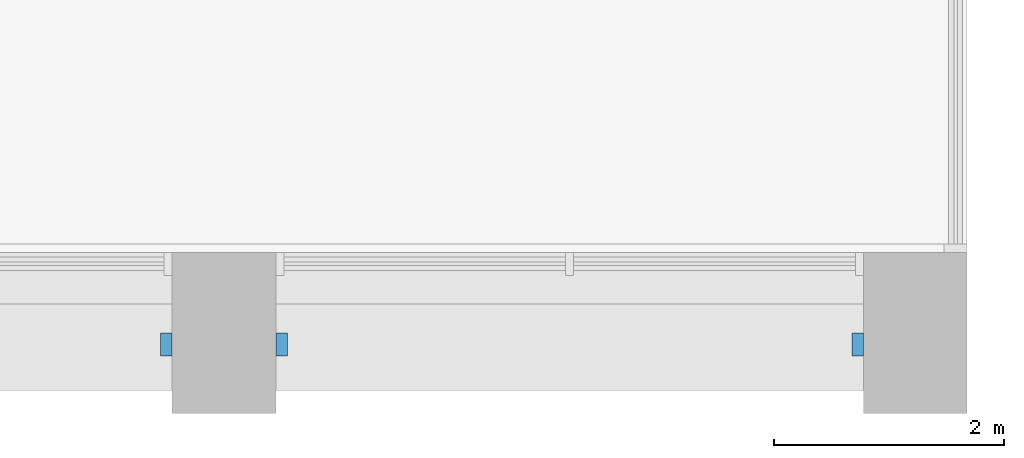
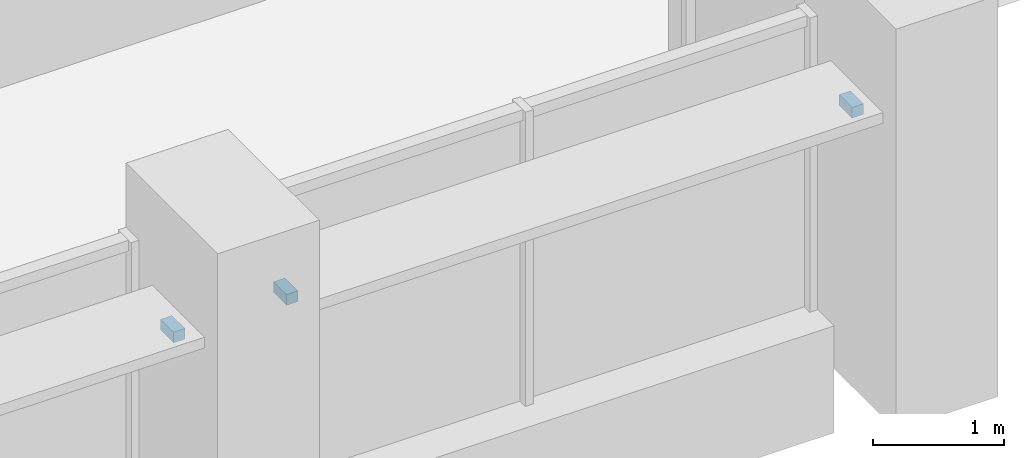
# One storey, part 15 of 16: 3 discrete accessories.
"""IFC4 building model written with IfcOpenShell, lengths in metres."""

from ifc_helpers import new_model, si_unit, direction, frame, origin, origin_2d, place, context, subcontext, project, spatial, rectangle, extrude, element, save


model = new_model("IFC4")

# Units and contexts
model_context = context("Model", 3, precision=1e-05, world=origin(), true_north=direction((0.0, 1.0)))
body_context = subcontext(model_context, "Body", "Model", "MODEL_VIEW")
ifc_project = project(units=[si_unit("LENGTHUNIT", "METRE"), si_unit("AREAUNIT", "SQUARE_METRE"), si_unit("VOLUMEUNIT", "CUBIC_METRE"), si_unit("PLANEANGLEUNIT", "RADIAN"), si_unit("MASSUNIT", "GRAM", prefix="KILO")], contexts=[model_context])

# Site, building, storey
site_placement = place(None, origin())
site = spatial("IfcSite", under=ifc_project, at=site_placement, CompositionType="ELEMENT")
building_placement = place(site_placement, origin())
building = spatial("IfcBuilding", under=site, at=building_placement, Name="Calvaro Tower", CompositionType="ELEMENT")
storey_placement = place(building_placement, frame((0.0, 0.0, 140.0)))
storey = spatial("IfcBuildingStorey", under=building, at=storey_placement, Name="L35", CompositionType="ELEMENT", Elevation=140.0)

# Discrete accessories
for number, where, z_axis, x_axis, name in (
    (1, (59.5, 2.10009765625, 2.25), (0.0, 0.0, 1.0), (1.0, 0.0, 0.0), "Brise-soleil bracket"),
    (2, (60.5, 2.10009765625, 2.25), (0.0, 0.0, 1.0), (1.0, 0.0, 0.0), "Brise-soleil bracket"),
    (3, (65.5, 2.10009765625, 2.25), (0.0, 0.0, 1.0), (1.0, 0.0, 0.0), "Brise-soleil bracket"),
):
    element("IfcDiscreteAccessory", number, at=place(storey_placement, frame(where, z_axis=z_axis, x_axis=x_axis)), inside=storey, Name=name, PredefinedType="BRACKET", context=body_context, shape_type="SweptSolid", body=[
        extrude(rectangle(XDim=0.10009765625, YDim=0.199951171875, at=origin_2d()), origin(), (0.0, 0.0, 1.0), 0.10009765625),
    ])

save(model, "model.ifc")
